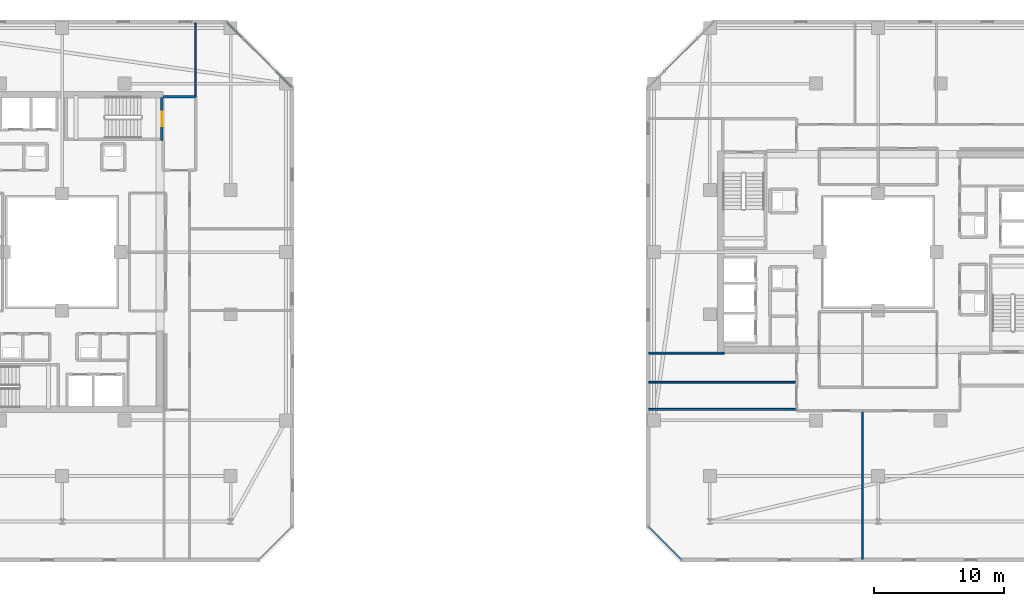
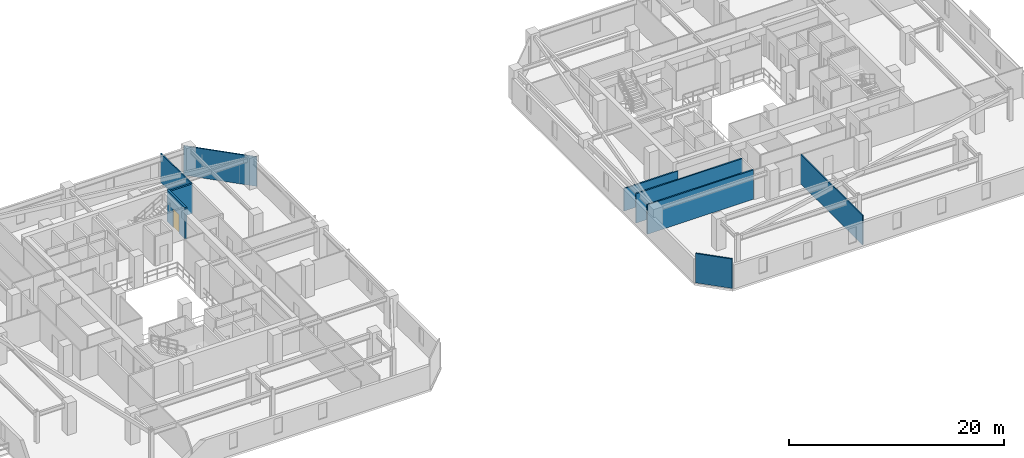
# One storey, part 21 of 32: 9 walls, 1 door, 1 opening.
"""IFC4 building model written with IfcOpenShell, lengths in metres."""

import ifcopenshell
import ifcopenshell.guid

model = None  # the IFC model being written
_history = None  # IfcOwnerHistory: only IFC2X3 demands one
_inside = {}  # id of a spatial element -> (the spatial element, [elements in it])
_under = {}  # id of a project, library or spatial element -> (it, [spatial elements below it])
_declared = {}  # id of a project -> (the project, [libraries it declares])
_typed = {}  # id of a type object -> (the type object, [elements of that type])
_made_of = {}  # id of a material, layer set ... -> (it, [elements and type objects made of it])


def new_model(schema):
    """Start an empty IFC model of exactly this schema.

    Asked for "IFC4X3", IfcOpenShell would pick the latest addendum, in which some entities
    have other attributes; the version numbers below select the first issue.
    IFC2X3 requires an IfcOwnerHistory on every rooted entity: one is made here for all.
    """
    global model, _history
    if schema == "IFC4X3":
        model = ifcopenshell.file(schema_version=(4, 3, 0, 0))
    else:
        model = ifcopenshell.file(schema=schema)
    _inside.clear()
    _under.clear()
    _declared.clear()
    _typed.clear()
    _made_of.clear()
    _history = None
    if model.schema == "IFC2X3":
        org = make("IfcOrganization", Name="unknown")
        user = make(
            "IfcPersonAndOrganization",
            ThePerson=make("IfcPerson", FamilyName="unknown"),
            TheOrganization=org,
        )
        app = make(
            "IfcApplication",
            ApplicationDeveloper=org,
            Version="unknown",
            ApplicationFullName="unknown",
            ApplicationIdentifier="unknown",
        )
        _history = make(
            "IfcOwnerHistory",
            OwningUser=user,
            OwningApplication=app,
            ChangeAction="ADDED",
            CreationDate=0,
        )
    return model


def make(cls, **values):
    """One entity of the class cls with the attributes given. An attribute that is None is left unset."""
    return model.create_entity(
        cls, **{name: value for name, value in values.items() if value is not None}
    )


def rooted(cls, **values):
    """An entity with a GlobalId (a new one), such as an element, a storey or a relation."""
    return make(cls, GlobalId=ifcopenshell.guid.new(), OwnerHistory=_history, **values)


def si_unit(unit_type, name, prefix=None):
    """IfcSIUnit, for example si_unit("LENGTHUNIT", "METRE", prefix="MILLI")."""
    return make("IfcSIUnit", UnitType=unit_type, Prefix=prefix, Name=name)


def assignment(units):
    """IfcUnitAssignment: the units of a project."""
    return None if units is None else make("IfcUnitAssignment", Units=units)


def point(xyz):
    """IfcCartesianPoint."""
    return None if xyz is None else make("IfcCartesianPoint", Coordinates=xyz)


def direction(xyz):
    """IfcDirection."""
    return None if xyz is None else make("IfcDirection", DirectionRatios=xyz)


def frame(location, z_axis=None, x_axis=None):
    """IfcAxis2Placement3D, a coordinate frame: its origin and axes. An axis left out is left unset."""
    return make(
        "IfcAxis2Placement3D",
        Location=point(location),
        Axis=direction(z_axis),
        RefDirection=direction(x_axis),
    )


def frame_2d(location, x_axis=None):
    """IfcAxis2Placement2D, a coordinate frame in the plane: its origin and x axis."""
    return make(
        "IfcAxis2Placement2D", Location=point(location), RefDirection=direction(x_axis)
    )


def origin():
    """The frame at (0, 0, 0) with its axes left unset."""
    return frame((0.0, 0.0, 0.0))


def place(relative_to, where):
    """IfcLocalPlacement: puts the frame where relative to a parent placement (None: the world)."""
    return make(
        "IfcLocalPlacement", PlacementRelTo=relative_to, RelativePlacement=where
    )


def context(
    kind, dimensions, precision=None, world=None, true_north=None, identifier=None
):
    """IfcGeometricRepresentationContext, for example the 3D "Model" context."""
    return make(
        "IfcGeometricRepresentationContext",
        ContextIdentifier=identifier,
        ContextType=kind,
        CoordinateSpaceDimension=dimensions,
        Precision=precision,
        WorldCoordinateSystem=world,
        TrueNorth=true_north,
    )


def subcontext(parent, identifier, kind, view, scale=None):
    """IfcGeometricRepresentationSubContext, for example "Body" below "Model"."""
    return make(
        "IfcGeometricRepresentationSubContext",
        ContextIdentifier=identifier,
        ContextType=kind,
        ParentContext=parent,
        TargetScale=scale,
        TargetView=view,
    )


def project(units=None, contexts=None):
    """IfcProject with its units and contexts."""
    return rooted(
        "IfcProject",
        Name="project",
        RepresentationContexts=contexts,
        UnitsInContext=assignment(units),
    )


def spatial(cls, under=None, at=None, **own):
    """A site, building, storey or space (cls), placed at a placement, below another one or the project."""
    s = rooted(cls, ObjectPlacement=at, **own)
    if under is not None:
        _under.setdefault(under.id(), (under, []))[1].append(s)
    return s


def profile(cls, at=None, kind="AREA", **sizes):
    """A parametric profile (cls). Its sizes go by their IFC names, for example OverallWidth=200.0."""
    return make(cls, ProfileType=kind, Position=at, **sizes)


def rectangle(**sizes):
    """IfcRectangleProfileDef."""
    return profile("IfcRectangleProfileDef", **sizes)


def extrude(swept, where, along, depth):
    """IfcExtrudedAreaSolid: the profile swept, set in the frame where, extruded along a direction by depth."""
    return make(
        "IfcExtrudedAreaSolid",
        SweptArea=swept,
        Position=where,
        ExtrudedDirection=direction(along),
        Depth=depth,
    )


def shape(context_of_items, identifier, shape_type, items):
    """IfcShapeRepresentation: the items that make up one representation, for example the "Body"."""
    return make(
        "IfcShapeRepresentation",
        ContextOfItems=context_of_items,
        RepresentationIdentifier=identifier,
        RepresentationType=shape_type,
        Items=items,
    )


def material(Name=None, Category=None):
    """IfcMaterial."""
    return make("IfcMaterial", Name=Name, Category=Category)


def layer(
    of_material, thickness, ventilated=None, Name=None, Category=None, Priority=None
):
    """IfcMaterialLayer: one layer of a wall or slab, of a material (None: an air gap)."""
    return make(
        "IfcMaterialLayer",
        Material=of_material,
        LayerThickness=thickness,
        IsVentilated=ventilated,
        Name=Name,
        Category=Category,
        Priority=Priority,
    )


def layer_set(layers, Name=None):
    """IfcMaterialLayerSet."""
    return make("IfcMaterialLayerSet", MaterialLayers=layers, LayerSetName=Name)


def made_of(thing, what):
    """Note that an element or type object is made of a material, layer set ...; save() writes the relation."""
    if what is not None:
        _made_of.setdefault(what.id(), (what, []))[1].append(thing)
    return thing


def type_object(cls, material=None, **own):
    """A type object (cls), such as IfcWallType, which elements share."""
    return made_of(rooted(cls, **own), material)


def element(
    cls,
    number,
    at=None,
    inside=None,
    cuts=None,
    type_object=None,
    material=None,
    context=None,
    identifier="Body",
    shape_type=None,
    held_by="IfcProductDefinitionShape",
    body=None,
    shapes=None,
    **own,
):
    """One element of the class cls, such as IfcWall. Its Tag is "e" and its number.

    at: its placement. inside: the storey or other place that contains it. cuts: it is an
    opening in that element (IfcRelVoidsElement). A single representation is given by context,
    identifier, shape_type and body (its items); several are given by shapes. held_by: the class
    of the entity that holds the representations. save() writes the other relations.
    """
    e = rooted(cls, Tag="e%d" % number, ObjectPlacement=at, **own)
    if body is not None:
        shapes = [shape(context, identifier, shape_type, body)]
    if shapes is not None:
        e.Representation = make(held_by, Representations=shapes)
    if inside is not None:
        _inside.setdefault(inside.id(), (inside, []))[1].append(e)
    if cuts is not None:
        rooted(
            "IfcRelVoidsElement", RelatingBuildingElement=cuts, RelatedOpeningElement=e
        )
    if type_object is not None:
        _typed.setdefault(type_object.id(), (type_object, []))[1].append(e)
    return made_of(e, material)


def fill(opening, filler):
    """IfcRelFillsElement: the door or window that sits in an opening."""
    return rooted(
        "IfcRelFillsElement",
        RelatingOpeningElement=opening,
        RelatedBuildingElement=filler,
    )


def aggregate(whole, parts):
    """IfcRelAggregates: a whole, such as a stair, and the parts it consists of."""
    return rooted("IfcRelAggregates", RelatingObject=whole, RelatedObjects=parts)


def save(model, path):
    """Write the relations noted so far, then the file.

    IfcRelAggregates (storeys below a building ...), IfcRelContainedInSpatialStructure (elements
    in a storey), IfcRelDefinesByType, IfcRelAssociatesMaterial and IfcRelDeclares: one each for
    every whole, place, type object, material and project.
    """
    for whole, parts in _under.values():
        aggregate(whole, parts)
    for where, things in _inside.values():
        rooted(
            "IfcRelContainedInSpatialStructure",
            RelatedElements=things,
            RelatingStructure=where,
        )
    for kind, things in _typed.values():
        rooted("IfcRelDefinesByType", RelatedObjects=things, RelatingType=kind)
    for what, things in _made_of.values():
        rooted("IfcRelAssociatesMaterial", RelatedObjects=things, RelatingMaterial=what)
    for by, libraries in _declared.values():
        rooted("IfcRelDeclares", RelatingContext=by, RelatedDefinitions=libraries)
    model.write(path)


model = new_model("IFC4")

# Units and contexts
model_context = context("Model", 3, precision=1e-05, world=origin(), true_north=direction((0.0, 1.0)))
body_context = subcontext(model_context, "Body", "Model", "MODEL_VIEW")
ifc_project = project(units=[si_unit("LENGTHUNIT", "METRE"), si_unit("AREAUNIT", "SQUARE_METRE"), si_unit("VOLUMEUNIT", "CUBIC_METRE"), si_unit("PLANEANGLEUNIT", "RADIAN"), si_unit("MASSUNIT", "GRAM", prefix="KILO")], contexts=[model_context])

# Site, building, storey
site_placement = place(None, origin())
site = spatial("IfcSite", under=ifc_project, at=site_placement, CompositionType="ELEMENT")
building_placement = place(site_placement, origin())
building = spatial("IfcBuilding", under=site, at=building_placement, Name="Thornwick Lancets Civic Towers", CompositionType="ELEMENT")
storey_placement = place(building_placement, frame((0.0, 0.0, 243.89990234375)))
storey = spatial("IfcBuildingStorey", under=building, at=storey_placement, Name="L65", CompositionType="ELEMENT", Elevation=243.89990234375)

# Walls
ifc_material_1 = material(Name="Concrete blockwork C40/50", Category="masonry")
ifc_layer_1 = layer(ifc_material_1, 0.199951171875, Name="Concrete blockwork C40/50")
ifc_layer_set_1 = layer_set([ifc_layer_1], Name="Concrete blockwork C40/50")
wall_type_1 = type_object("IfcWallType", Name="WALL_COMP_200", PredefinedType="STANDARD", material=ifc_layer_set_1)
wall_1_placement = place(storey_placement, frame((35.800048828125, 39.0, 0.0), z_axis=(0.0, 0.0, 1.0), x_axis=(-1.0, 0.0, 0.0)))
element("IfcWall", 1, at=wall_1_placement, inside=storey, type_object=wall_type_1, Name="L65 Partition L65-A-FFLOB2 E3", PredefinedType="STANDARD", context=body_context, shape_type="SweptSolid", body=[
    extrude(rectangle(XDim=2.5, YDim=0.199951171875, at=frame_2d((1.25, 0.0))), origin(), (0.0, 0.0, 1.0), 3.340087890625),
])
ifc_material_2 = material(Name="Acoustic gypsum board partition")
ifc_layer_2 = layer(ifc_material_2, 0.1201171875, Name="Acoustic gypsum board partition")
ifc_layer_set_2 = layer_set([ifc_layer_2], Name="Acoustic gypsum board partition")
wall_type_2 = type_object("IfcWallType", Name="WALL_PART_120", PredefinedType="PARTITIONING", material=ifc_layer_set_2)
wall_2_placement = place(storey_placement, frame((35.800048828125, 39.0, 0.0), z_axis=(0.0, 0.0, 1.0), x_axis=(0.0, 1.0, 0.0)))
element("IfcWall", 2, at=wall_2_placement, inside=storey, type_object=wall_type_2, Name="L65 Partition L65-A-E3 E3", PredefinedType="PARTITIONING", context=body_context, shape_type="SweptSolid", body=[
    extrude(rectangle(XDim=5.719970703125, YDim=0.1201171875, at=frame_2d((2.85986328125, 0.0))), origin(), (0.0, 0.0, 1.0), 3.340087890625),
])
wall_3_placement = place(storey_placement, frame((38.2333984375, 44.719970703125, 0.0), z_axis=(0.0, 0.0, 1.0), x_axis=(0.707106781187, -0.707106781187, 0.0)))
element("IfcWall", 3, at=wall_3_placement, inside=storey, type_object=wall_type_2, Name="L65 Partition L65-A-E3 E5", PredefinedType="PARTITIONING", context=body_context, shape_type="SweptSolid", body=[
    extrude(rectangle(XDim=7.052001953125, YDim=0.1201171875, at=frame_2d((3.52587890625, 0.0))), origin(), (0.0, 0.0, 1.0), 3.340087890625),
])
wall_4_placement = place(storey_placement, frame((87.300048828125, 3.280029296875, 0.0), z_axis=(0.0, 0.0, 1.0), x_axis=(0.0, 1.0, 0.0)))
element("IfcWall", 4, at=wall_4_placement, inside=storey, type_object=wall_type_2, Name="L65 Partition L65-B-W1 E2", PredefinedType="PARTITIONING", context=body_context, shape_type="SweptSolid", body=[
    extrude(rectangle(XDim=11.469970703125, YDim=0.1201171875, at=frame_2d((5.73486328125, 0.0))), origin(), (0.0, 0.0, 1.0), 3.340087890625),
])
ifc_material_3 = material(Name="Twin-stud acoustic gypsum board")
ifc_layer_3 = layer(ifc_material_3, 0.14990234375, Name="Twin-stud acoustic gypsum board")
ifc_layer_set_3 = layer_set([ifc_layer_3], Name="Twin-stud acoustic gypsum board")
wall_type_3 = type_object("IfcWallType", Name="WALL_PART_150", PredefinedType="PARTITIONING", material=ifc_layer_set_3)
for number, where, z_axis, x_axis, name in (
    (5, (82.199951171875, 14.85009765625, 0.0), (0.0, 0.0, 1.0), (-1.0, 0.0, 0.0), "L65 Partition L65-B-RECLAIM-M1 E1"),
    (6, (70.780029296875, 16.949951171875, 0.0), (0.0, 0.0, 1.0), (1.0, 0.0, 0.0), "L65 Partition L65-B-RECLAIM-M1 E3"),
):
    element("IfcWall", number, at=place(storey_placement, frame(where, z_axis=z_axis, x_axis=x_axis)), inside=storey, type_object=wall_type_3, Name=name, PredefinedType="PARTITIONING", context=body_context, shape_type="SweptSolid", body=[
        extrude(rectangle(XDim=11.419921875, YDim=0.14990234375, at=frame_2d((5.7099609375, 0.0))), origin(), (0.0, 0.0, 1.0), 3.340087890625),
    ])
wall_5_placement = place(storey_placement, frame((70.780029296875, 19.199951171875, 0.0), z_axis=(0.0, 0.0, 1.0), x_axis=(1.0, 0.0, 0.0)))
element("IfcWall", 7, at=wall_5_placement, inside=storey, type_object=wall_type_3, Name="L65 Partition L65-B-RECLAIM-M2 E3", PredefinedType="PARTITIONING", context=body_context, shape_type="SweptSolid", body=[
    extrude(rectangle(XDim=5.820068359375, YDim=0.14990234375, at=frame_2d((2.91015625, 0.0))), origin(), (0.0, 0.0, 1.0), 2.545166015625),
])
wall_6_placement = place(storey_placement, frame((73.274658203125, 3.280029296875, 0.0), z_axis=(0.0, 0.0, 1.0), x_axis=(-0.707106781187, 0.707106781187, 0.0)))
element("IfcWall", 8, at=wall_6_placement, inside=storey, type_object=wall_type_3, Name="L65 Partition L65-B-W2 E2", PredefinedType="PARTITIONING", context=body_context, shape_type="SweptSolid", body=[
    extrude(rectangle(XDim=3.52783203125, YDim=0.14990234375, at=frame_2d((1.763916015625, 0.0))), origin(), (0.0, 0.0, 1.0), 3.340087890625),
])

# Wall, opening, door
ifc_material_4 = material(Name="Concrete C40/50", Category="concrete")
ifc_layer_4 = layer(ifc_material_4, 0.199951171875, Name="Concrete C40/50")
ifc_layer_set_4 = layer_set([ifc_layer_4], Name="Concrete C40/50")
wall_type_4 = type_object("IfcWallType", Name="WALL_SHAFT_200", PredefinedType="SHEAR", material=ifc_layer_set_4)
wall_7_placement = place(storey_placement, frame((33.199951171875, 38.949951171875, 0.0), z_axis=(0.0, 0.0, 1.0), x_axis=(0.0, -1.0, 0.0)))
wall_7 = element("IfcWall", 9, at=wall_7_placement, inside=storey, type_object=wall_type_4, Name="L65 ST-A2 Fire Stair Core Wall NEAR", PredefinedType="SHEAR", context=body_context, shape_type="SweptSolid", body=[
    extrude(rectangle(XDim=3.349853515625, YDim=0.199951171875, at=frame_2d((1.6748046875, 0.0))), origin(), (0.0, 0.0, 1.0), 3.60009765625),
])
opening_placement = place(wall_7_placement, frame((1.125, 0.0, 0.0)))
opening = element("IfcOpeningElement", 10, at=opening_placement, cuts=wall_7, Name="Opening D-ST-A2-L65", PredefinedType="OPENING", context=body_context, shape_type="SweptSolid", body=[
    extrude(rectangle(XDim=1.10009765625, YDim=2.10009765625, at=frame_2d((0.550048828125, 1.050048828125))), frame((0.0, 0.10986328125, 0.0), z_axis=(0.0, -1.0, 0.0), x_axis=(1.0, 0.0, 0.0)), (0.0, 0.0, 1.0), 0.219970703125),
])
ifc_material_5 = material(Name="Fire-resisting steel and hardwood", Category="steel")
door_type = type_object("IfcDoorType", Name="DOOR_STAIR_FD60", OperationType="NOTDEFINED", PredefinedType="DOOR", material=ifc_material_5)
door_placement = place(opening_placement, origin())
door = element("IfcDoor", 11, at=door_placement, inside=storey, type_object=door_type, Name="L65 ST-A2 Exit Stair Door", OperationType="SINGLE_SWING_LEFT", OverallHeight=2.10009765625, OverallWidth=1.10009765625, PredefinedType="DOOR", context=body_context, shape_type="SweptSolid", body=[
    extrude(rectangle(XDim=1.10009765625, YDim=2.10009765625, at=frame_2d((0.550048828125, 1.050048828125))), frame((0.0, 0.02490234375, 0.0), z_axis=(0.0, -1.0, 0.0), x_axis=(1.0, 0.0, 0.0)), (0.0, 0.0, 1.0), 0.050048828125),
])
fill(opening, door)

save(model, "model.ifc")
